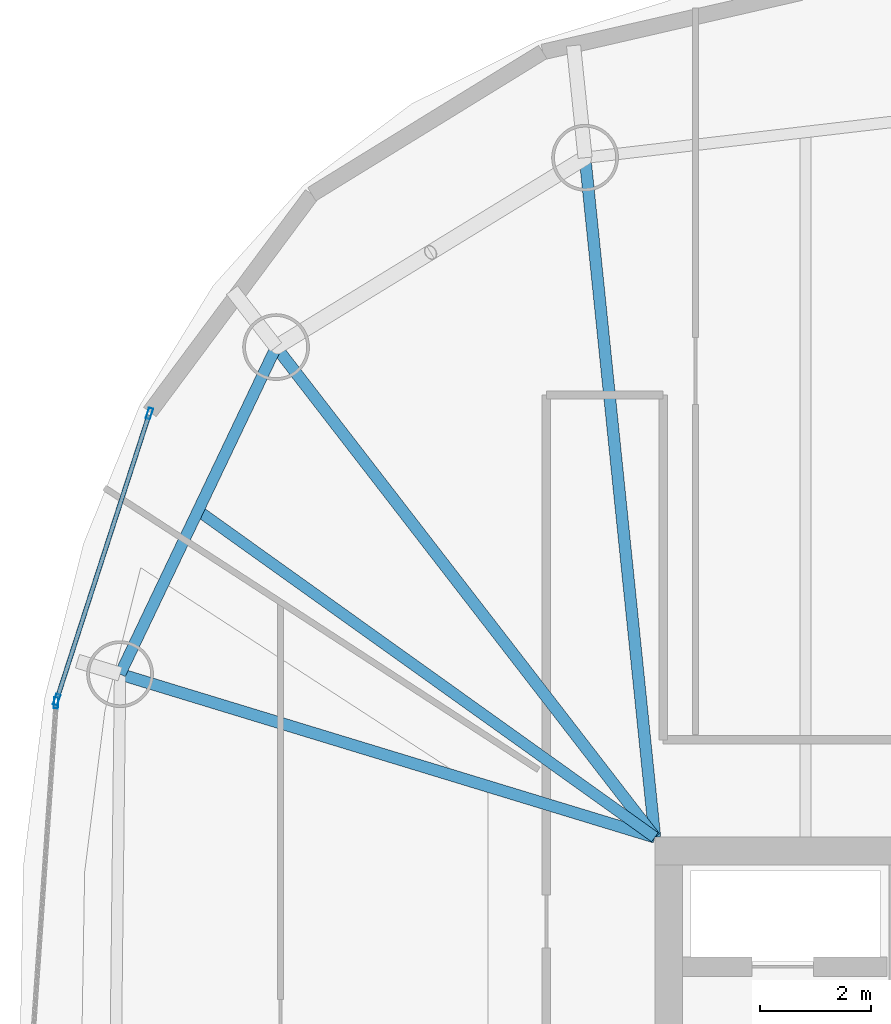
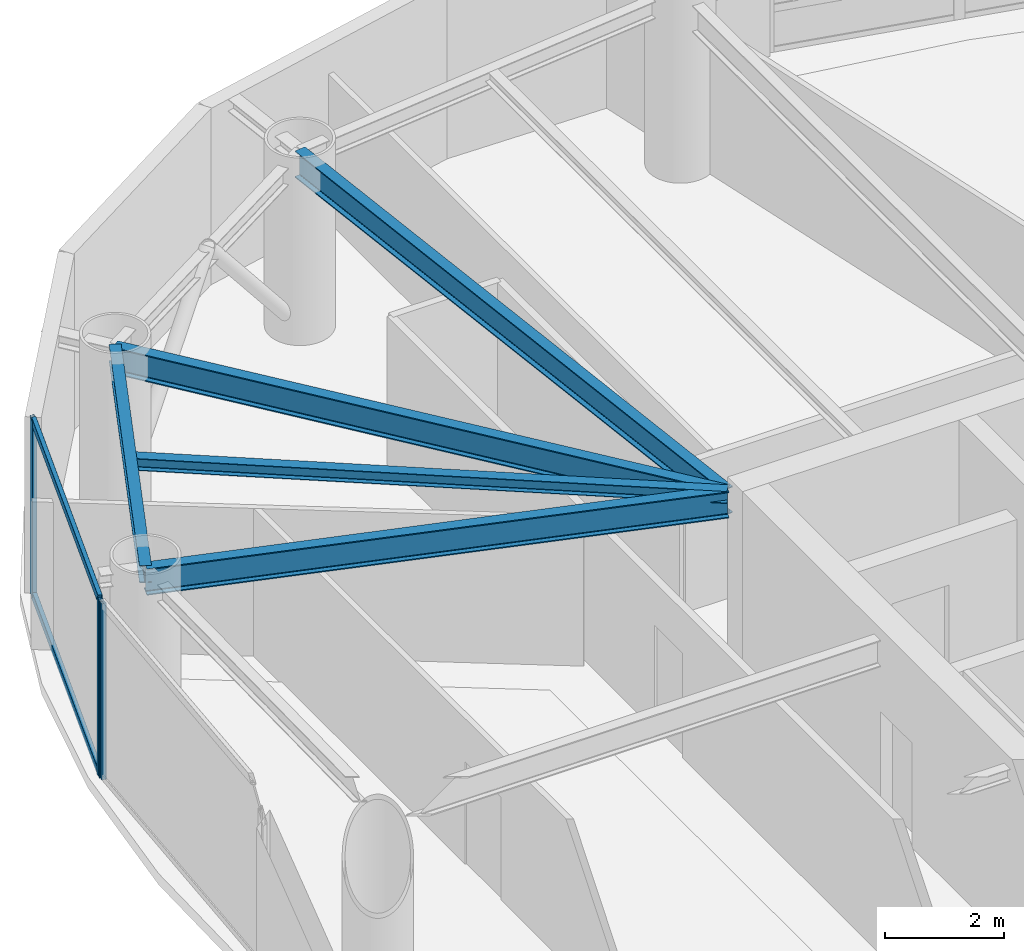
# One storey, part 11 of 22: 5 beams, 5 members, 2 elements without a shape of their own.
"""IFC4 building model written with IfcOpenShell, lengths in metres."""

from ifc_helpers import new_model, si_unit, direction, frame, origin, origin_2d, place, context, subcontext, project, spatial, hollow_rectangle, i_section, extrude, material, layer, layer_set, material_profile, profile_set, type_object, element, aggregate, save


model = new_model("IFC4")

# Units and contexts
model_context = context("Model", 3, precision=1e-05, world=origin(), true_north=direction((0.0, 1.0)))
body_context = subcontext(model_context, "Body", "Model", "MODEL_VIEW")
ifc_project = project(units=[si_unit("LENGTHUNIT", "METRE"), si_unit("AREAUNIT", "SQUARE_METRE"), si_unit("VOLUMEUNIT", "CUBIC_METRE"), si_unit("PLANEANGLEUNIT", "RADIAN"), si_unit("MASSUNIT", "GRAM", prefix="KILO")], contexts=[model_context])

# Site, building, storey
site_placement = place(None, origin())
site = spatial("IfcSite", under=ifc_project, at=site_placement, CompositionType="ELEMENT")
building_placement = place(site_placement, origin())
building = spatial("IfcBuilding", under=site, at=building_placement, Name="Bramvorn Convention Spire", CompositionType="ELEMENT")
storey_placement = place(building_placement, frame((0.0, 0.0, 221.25)))
storey = spatial("IfcBuildingStorey", under=building, at=storey_placement, Name="L56", CompositionType="ELEMENT", Elevation=221.25)

# Beams
ifc_material_1 = material(Name="Steel CSA G40.21 Grade 350 (350W)", Category="steel")
ifc_material_profile_1 = material_profile(ifc_material_1, i_section(OverallWidth=0.201904296875, OverallDepth=0.2470703125, WebThickness=0.00732421875, FlangeThickness=0.010986328125, FilletRadius=0.011962890625, at=origin_2d()))
ifc_profile_set_1 = profile_set([ifc_material_profile_1], Name="Steel CSA G40.21 Grade 350 (350W) - W250X49")
beam_type_1 = type_object("IfcBeamType", Name="BM-W250X49", PredefinedType="JOIST", material=ifc_profile_set_1)
beam_1_placement = place(storey_placement, frame((26.75, 33.449951171875, 3.49658203125), z_axis=(-0.813471895271, 0.581604225916, 0.0), x_axis=(-0.581604225916, -0.813471895271, 0.0)))
element("IfcBeam", 1, at=beam_1_placement, inside=storey, type_object=beam_type_1, Name="L56 composite floor joist 09", PredefinedType="JOIST", context=body_context, shape_type="SweptSolid", body=[
    extrude(i_section(OverallWidth=0.201904296875, OverallDepth=0.2470703125, WebThickness=0.00732421875, FlangeThickness=0.010986328125, FilletRadius=0.011962890625, at=origin_2d()), origin(), (0.0, 0.0, 1.0), 10.093505859375),
])
ifc_material_profile_2 = material_profile(ifc_material_1, i_section(OverallWidth=0.205078125, OverallDepth=0.35400390625, WebThickness=0.009521484375, FlangeThickness=0.016845703125, FilletRadius=0.014892578125, at=origin_2d()))
ifc_profile_set_2 = profile_set([ifc_material_profile_2], Name="Steel CSA G40.21 Grade 350 (350W) - W360X79")
beam_type_2 = type_object("IfcBeamType", Name="BM-W360X79", PredefinedType="JOIST", material=ifc_profile_set_2)
beam_2_placement = place(storey_placement, frame((19.941650390625, 42.260009765625, 3.443115234375), z_axis=(-0.430556138422, -0.902563799223, 0.0), x_axis=(0.902563799223, -0.430556138422, 0.0)))
element("IfcBeam", 2, at=beam_2_placement, inside=storey, type_object=beam_type_2, Name="L56 mega-column ring beam 09", PredefinedType="JOIST", context=body_context, shape_type="SweptSolid", body=[
    extrude(i_section(OverallWidth=0.205078125, OverallDepth=0.35400390625, WebThickness=0.009521484375, FlangeThickness=0.016845703125, FilletRadius=0.014892578125, at=origin_2d()), origin(), (0.0, 0.0, 1.0), 6.51416015625),
])
ifc_material_profile_3 = material_profile(ifc_material_1, i_section(OverallWidth=0.2119140625, OverallDepth=0.5439453125, WebThickness=0.01318359375, FlangeThickness=0.021240234375, FilletRadius=0.01904296875, at=origin_2d()))
ifc_profile_set_3 = profile_set([ifc_material_profile_3], Name="Steel CSA G40.21 Grade 350 (350W) - W530X123")
beam_type_3 = type_object("IfcBeamType", Name="BM-W530X123", PredefinedType="BEAM", material=ifc_profile_set_3)
beam_3_placement = place(storey_placement, frame((26.75, 33.449951171875, 3.347900390625), z_axis=(-0.10216509146, 0.994767457292, 0.0), x_axis=(-0.994767457292, -0.10216509146, 0.0)))
element("IfcBeam", 3, at=beam_3_placement, inside=storey, type_object=beam_type_3, Name="L56 radial floor girder MC08", PredefinedType="BEAM", context=body_context, shape_type="SweptSolid", body=[
    extrude(i_section(OverallWidth=0.2119140625, OverallDepth=0.5439453125, WebThickness=0.01318359375, FlangeThickness=0.021240234375, FilletRadius=0.01904296875, at=origin_2d()), origin(), (0.0, 0.0, 1.0), 12.278076171875),
])
beam_4_placement = place(storey_placement, frame((26.75, 33.449951171875, 3.347900390625), z_axis=(-0.611479951477, 0.791259925019, 0.0), x_axis=(-0.791259925019, -0.611479951477, 0.0)))
element("IfcBeam", 4, at=beam_4_placement, inside=storey, type_object=beam_type_3, Name="L56 radial floor girder MC09", PredefinedType="BEAM", context=body_context, shape_type="SweptSolid", body=[
    extrude(i_section(OverallWidth=0.2119140625, OverallDepth=0.5439453125, WebThickness=0.01318359375, FlangeThickness=0.021240234375, FilletRadius=0.01904296875, at=origin_2d()), origin(), (0.0, 0.0, 1.0), 11.13427734375),
])
beam_5_placement = place(storey_placement, frame((26.75, 33.449951171875, 3.347900390625), z_axis=(-0.95653637984, 0.291613021044, 0.0), x_axis=(-0.291613021044, -0.95653637984, 0.0)))
element("IfcBeam", 5, at=beam_5_placement, inside=storey, type_object=beam_type_3, Name="L56 radial floor girder MC10", PredefinedType="BEAM", context=body_context, shape_type="SweptSolid", body=[
    extrude(i_section(OverallWidth=0.2119140625, OverallDepth=0.5439453125, WebThickness=0.01318359375, FlangeThickness=0.021240234375, FilletRadius=0.01904296875, at=origin_2d()), origin(), (0.0, 0.0, 1.0), 10.0498046875),
])

# Curtain wall, members
ifc_material_2 = material(Name="Anodised Bronze Unitised Curtain Wall", Category="aluminium")
ifc_layer = layer(ifc_material_2, 0.179931640625)
ifc_layer_set = layer_set([ifc_layer], Name="Anodised Bronze Unitised Curtain Wall - CW-OFF-FRIT")
curtain_wall_type = type_object("IfcCurtainWallType", Name="CW-OFF-FRIT", PredefinedType="USERDEFINED", material=ifc_layer_set)
curtain_wall_1_placement = place(storey_placement, origin())
curtain_wall_1 = element("IfcCurtainWall", 6, at=curtain_wall_1_placement, inside=storey, type_object=curtain_wall_type, Name="L56 fritted glass curtain wall 14", ObjectType="UNITISED CURTAIN WALL", PredefinedType="USERDEFINED")
ifc_material_3 = material(Name="Anodised Bronze Aluminium 6063-T6", Category="aluminium")
ifc_material_profile_4 = material_profile(ifc_material_3, hollow_rectangle(XDim=0.080078125, YDim=0.199951171875, WallThickness=0.00390625, InnerFilletRadius=0.0009765625, OuterFilletRadius=0.00390625, at=origin_2d()))
ifc_profile_set_4 = profile_set([ifc_material_profile_4], Name="Anodised Bronze Aluminium 6063-T6 - CWM80X200")
member_type_1 = type_object("IfcMemberType", Name="CW-MUL-180", PredefinedType="MULLION", material=ifc_profile_set_4)
member_1_placement = place(storey_placement, frame((15.9990234375, 35.923828125, 0.0), z_axis=(0.0, 0.0, 1.0), x_axis=(-0.951342634352, 0.308135022455, 0.0)))
member_1 = element("IfcMember", 7, at=member_1_placement, type_object=member_type_1, Name="CW3 mullion 1", PredefinedType="MULLION", context=body_context, shape_type="SweptSolid", body=[
    extrude(hollow_rectangle(XDim=0.080078125, YDim=0.199951171875, WallThickness=0.00390625, InnerFilletRadius=0.0009765625, OuterFilletRadius=0.00390625, at=origin_2d()), origin(), (0.0, 0.0, 1.0), 3.6201171875),
])
member_2_placement = place(storey_placement, frame((17.66455078125, 41.0654296875, 0.0), z_axis=(0.0, 0.0, 1.0), x_axis=(-0.951342634352, 0.308135022455, 0.0)))
member_2 = element("IfcMember", 8, at=member_2_placement, type_object=member_type_1, Name="CW3 mullion 2", PredefinedType="MULLION", context=body_context, shape_type="SweptSolid", body=[
    extrude(hollow_rectangle(XDim=0.080078125, YDim=0.199951171875, WallThickness=0.00390625, InnerFilletRadius=0.0009765625, OuterFilletRadius=0.00390625, at=origin_2d()), origin(), (0.0, 0.0, 1.0), 3.6201171875),
])

# Curtain wall, member
curtain_wall_2_placement = place(storey_placement, origin())
curtain_wall_2 = element("IfcCurtainWall", 9, at=curtain_wall_2_placement, inside=storey, type_object=curtain_wall_type, Name="L56 fritted glass curtain wall 15", ObjectType="UNITISED CURTAIN WALL", PredefinedType="USERDEFINED")
member_3_placement = place(storey_placement, frame((15.98779296875, 35.865478515625, 0.0), z_axis=(0.0, 0.0, 1.0), x_axis=(-0.997590169881, 0.069381935371, 0.0)))
member_3 = element("IfcMember", 10, at=member_3_placement, type_object=member_type_1, Name="CW3 mullion 2", PredefinedType="MULLION", context=body_context, shape_type="SweptSolid", body=[
    extrude(hollow_rectangle(XDim=0.080078125, YDim=0.199951171875, WallThickness=0.00390625, InnerFilletRadius=0.0009765625, OuterFilletRadius=0.00390625, at=origin_2d()), origin(), (0.0, 0.0, 1.0), 3.6201171875),
])
aggregate(curtain_wall_2, [member_3])

# Member
ifc_material_profile_5 = material_profile(ifc_material_3, hollow_rectangle(XDim=0.080078125, YDim=0.159912109375, WallThickness=0.00390625, InnerFilletRadius=0.0009765625, OuterFilletRadius=0.00390625, at=origin_2d()))
ifc_profile_set_5 = profile_set([ifc_material_profile_5], Name="Anodised Bronze Aluminium 6063-T6 - CWT80X160")
member_type_2 = type_object("IfcMemberType", Name="CW-TRN-150", PredefinedType="USERDEFINED", material=ifc_profile_set_5)
member_4_placement = place(storey_placement, frame((16.00830078125, 35.952392578125, 0.030029296875), z_axis=(0.30815837788, 0.951335069333, 0.0), x_axis=(-0.951335069333, 0.30815837788, 0.0)))
member_4 = element("IfcMember", 11, at=member_4_placement, type_object=member_type_2, Name="CW3 transom 1.1", ObjectType="TRANSOM", PredefinedType="USERDEFINED", context=body_context, shape_type="SweptSolid", body=[
    extrude(hollow_rectangle(XDim=0.080078125, YDim=0.159912109375, WallThickness=0.00390625, InnerFilletRadius=0.0009765625, OuterFilletRadius=0.00390625, at=origin_2d()), origin(), (0.0, 0.0, 1.0), 5.344482421875),
])

member_5_placement = place(storey_placement, frame((16.00830078125, 35.952392578125, 3.590087890625), z_axis=(0.30815837788, 0.951335069333, 0.0), x_axis=(-0.951335069333, 0.30815837788, 0.0)))
member_5 = element("IfcMember", 12, at=member_5_placement, type_object=member_type_2, Name="CW3 transom 1.2", ObjectType="TRANSOM", PredefinedType="USERDEFINED", context=body_context, shape_type="SweptSolid", body=[
    extrude(hollow_rectangle(XDim=0.080078125, YDim=0.159912109375, WallThickness=0.00390625, InnerFilletRadius=0.0009765625, OuterFilletRadius=0.00390625, at=origin_2d()), origin(), (0.0, 0.0, 1.0), 5.344482421875),
])

aggregate(curtain_wall_1, [member_1, member_2, member_4, member_5])

save(model, "model.ifc")
